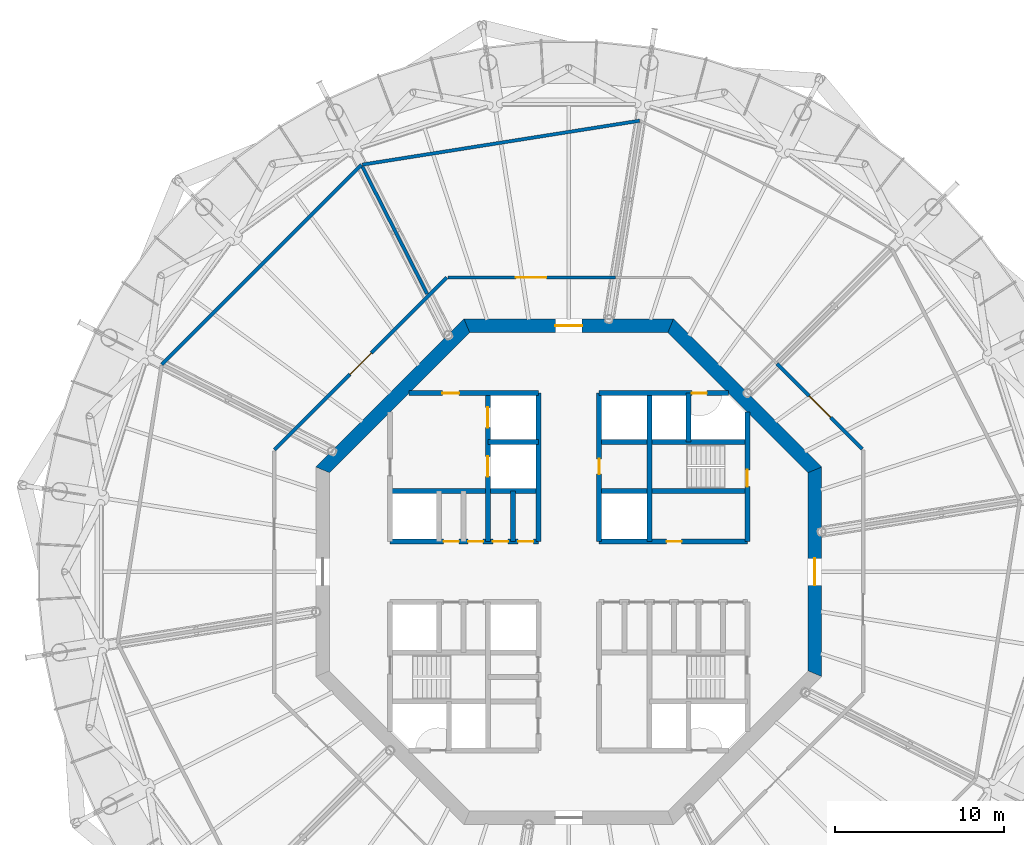
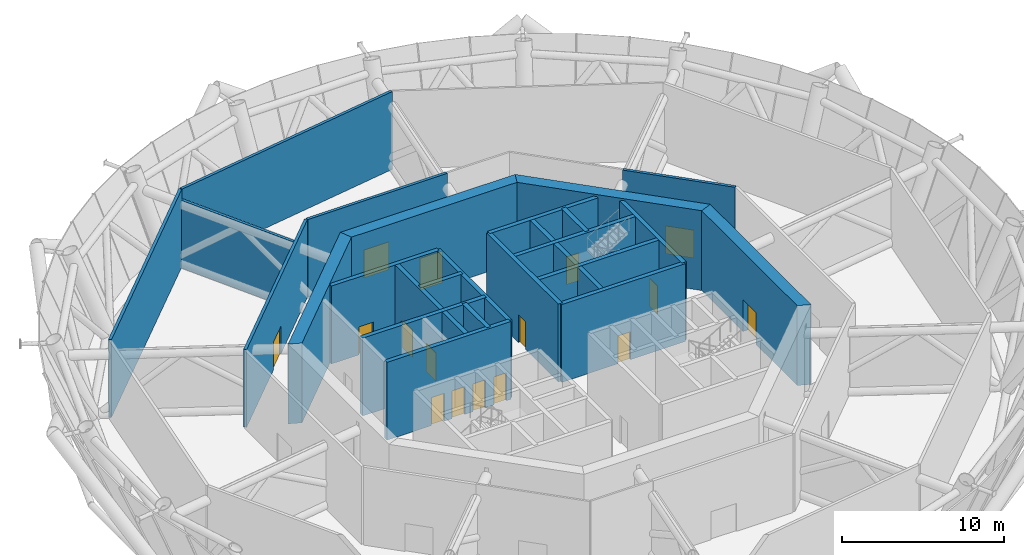
# One storey, part 9 of 20: 25 walls, 16 doors, 16 openings.
"""IFC4 building model written with IfcOpenShell, lengths in metres."""

from ifc_helpers import new_model, si_unit, direction, frame, frame_2d, origin, place, context, subcontext, project, spatial, polyline, rectangle, outline, extrude, material, layer, layer_set, type_object, element, fill, save


model = new_model("IFC4")

# Units and contexts
model_context = context("Model", 3, precision=1e-05, world=origin(), true_north=direction((0.0, 1.0)))
body_context = subcontext(model_context, "Body", "Model", "MODEL_VIEW")
ifc_project = project(units=[si_unit("LENGTHUNIT", "METRE"), si_unit("AREAUNIT", "SQUARE_METRE"), si_unit("VOLUMEUNIT", "CUBIC_METRE"), si_unit("PLANEANGLEUNIT", "RADIAN"), si_unit("MASSUNIT", "GRAM", prefix="KILO")], contexts=[model_context])

# Site, building, storey
site_placement = place(None, origin())
site = spatial("IfcSite", under=ifc_project, at=site_placement, CompositionType="ELEMENT")
building_placement = place(site_placement, origin())
building = spatial("IfcBuilding", under=site, at=building_placement, Name="Entoto Ring Tower", CompositionType="ELEMENT")
storey_placement = place(building_placement, frame((0.0, 0.0, 330.0)))
storey = spatial("IfcBuildingStorey", under=building, at=storey_placement, Name="L76", CompositionType="ELEMENT", Elevation=330.0)

# Wall, opening, door
ifc_material_1 = material(Name="Concrete C40/50", Category="concrete")
ifc_layer_1 = layer(ifc_material_1, 0.300048828125)
ifc_layer_set_1 = layer_set([ifc_layer_1], Name="Concrete C40/50")
wall_type_1 = type_object("IfcWallType", Name="Core enclosure wall 300 mm reinforced concrete", PredefinedType="SOLIDWALL", material=ifc_layer_set_1)
wall_1_placement = place(storey_placement, frame((100.60009765625, 81.800048828125, 0.0), z_axis=(0.0, 0.0, 1.0), x_axis=(0.0, 1.0, 0.0)))
wall_1 = element("IfcWall", 1, at=wall_1_placement, inside=storey, type_object=wall_type_1, Name="wall-L76-002", PredefinedType="SOLIDWALL", context=body_context, shape_type="SweptSolid", body=[
    extrude(rectangle(XDim=7.681640625, YDim=0.300048828125, at=frame_2d((3.8408203125, 0.0))), origin(), (0.0, 0.0, 1.0), 5.85009765625),
])
opening_1_placement = place(wall_1_placement, frame((3.25, 0.0, 0.0)))
opening_1 = element("IfcOpeningElement", 2, at=opening_1_placement, cuts=wall_1, Name="Opening K-23", PredefinedType="OPENING", context=body_context, shape_type="SweptSolid", body=[
    extrude(rectangle(XDim=1.0, YDim=2.10009765625, at=frame_2d((0.5, 1.050048828125))), frame((0.0, 0.16015625, 0.0), z_axis=(0.0, -1.0, 0.0), x_axis=(1.0, 0.0, 0.0)), (0.0, 0.0, 1.0), 0.320068359375),
])
ifc_material_2 = material(Name="Steel door leaf, fire rated", Category="steel")
ifc_layer_2 = layer(ifc_material_2, 0.050048828125)
ifc_layer_set_2 = layer_set([ifc_layer_2], Name="Steel door leaf, fire rated")
door_type_1 = type_object("IfcDoorType", Name="Fire door FD60 1000 x 2100 single leaf", OperationType="NOTDEFINED", PredefinedType="DOOR", material=ifc_layer_set_2)
door_1_placement = place(opening_1_placement, origin())
door_1 = element("IfcDoor", 3, at=door_1_placement, inside=storey, type_object=door_type_1, Name="Door K-23", OperationType="SINGLE_SWING_RIGHT", OverallHeight=2.10009765625, OverallWidth=1.0, PredefinedType="DOOR", context=body_context, shape_type="SweptSolid", body=[
    extrude(rectangle(XDim=1.0, YDim=2.10009765625, at=frame_2d((0.5, 1.050048828125))), frame((0.0, 0.02490234375, 0.0), z_axis=(0.0, -1.0, 0.0), x_axis=(1.0, 0.0, 0.0)), (0.0, 0.0, 1.0), 0.050048828125),
])
fill(opening_1, door_1)

# Walls
wall_2_placement = place(storey_placement, frame((97.10009765625, 87.699951171875, 0.0), z_axis=(0.0, 0.0, 1.0), x_axis=(0.0, 1.0, 0.0)))
element("IfcWall", 4, at=wall_2_placement, inside=storey, type_object=wall_type_1, Name="wall-L76-006", PredefinedType="SOLIDWALL", context=body_context, shape_type="SweptSolid", body=[
    extrude(rectangle(XDim=2.900146484375, YDim=0.300048828125, at=frame_2d((1.4501953125, 0.0))), origin(), (0.0, 0.0, 1.0), 5.85009765625),
])
wall_3_placement = place(storey_placement, frame((94.800048828125, 81.800048828125, 0.0), z_axis=(0.0, 0.0, 1.0), x_axis=(0.0, 1.0, 0.0)))
element("IfcWall", 5, at=wall_3_placement, inside=storey, type_object=wall_type_1, Name="wall-L76-009", PredefinedType="SOLIDWALL", context=body_context, shape_type="SweptSolid", body=[
    extrude(rectangle(XDim=8.800048828125, YDim=0.300048828125, at=frame_2d((4.39990234375, 0.0))), origin(), (0.0, 0.0, 1.0), 5.85009765625),
])

# Wall, opening, door
wall_4_placement = place(storey_placement, frame((91.800048828125, 81.800048828125, 0.0), z_axis=(0.0, 0.0, 1.0), x_axis=(0.0, 1.0, 0.0)))
wall_4 = element("IfcWall", 6, at=wall_4_placement, inside=storey, type_object=wall_type_1, Name="wall-L76-012", PredefinedType="SOLIDWALL", context=body_context, shape_type="SweptSolid", body=[
    extrude(rectangle(XDim=8.800048828125, YDim=0.300048828125, at=frame_2d((4.39990234375, 0.0))), origin(), (0.0, 0.0, 1.0), 5.85009765625),
])
opening_2_placement = place(wall_4_placement, frame((4.0, 0.0, 0.0)))
opening_2 = element("IfcOpeningElement", 7, at=opening_2_placement, cuts=wall_4, Name="Opening K-14", PredefinedType="OPENING", context=body_context, shape_type="SweptSolid", body=[
    extrude(rectangle(XDim=0.89990234375, YDim=2.10009765625, at=frame_2d((0.449951171875, 1.050048828125))), frame((0.0, 0.16015625, 0.0), z_axis=(0.0, -1.0, 0.0), x_axis=(1.0, 0.0, 0.0)), (0.0, 0.0, 1.0), 0.320068359375),
])
ifc_material_3 = material(Name="Steel door leaf, fire rated", Category="steel")
ifc_layer_3 = layer(ifc_material_3, 0.050048828125)
ifc_layer_set_3 = layer_set([ifc_layer_3], Name="Steel door leaf, fire rated")
door_type_2 = type_object("IfcDoorType", Name="Core door 900 x 2100 single leaf", OperationType="NOTDEFINED", PredefinedType="DOOR", material=ifc_layer_set_3)
door_2_placement = place(opening_2_placement, origin())
door_2 = element("IfcDoor", 8, at=door_2_placement, inside=storey, type_object=door_type_2, Name="Door K-14", OperationType="SINGLE_SWING_RIGHT", OverallHeight=2.10009765625, OverallWidth=0.89990234375, PredefinedType="DOOR", context=body_context, shape_type="SweptSolid", body=[
    extrude(rectangle(XDim=0.89990234375, YDim=2.10009765625, at=frame_2d((0.449951171875, 1.050048828125))), frame((0.0, 0.02490234375, 0.0), z_axis=(0.0, -1.0, 0.0), x_axis=(1.0, 0.0, 0.0)), (0.0, 0.0, 1.0), 0.050048828125),
])
fill(opening_2, door_2)

# Walls
wall_5_placement = place(storey_placement, frame((88.199951171875, 81.800048828125, 0.0), z_axis=(0.0, 0.0, 1.0), x_axis=(0.0, 1.0, 0.0)))
element("IfcWall", 9, at=wall_5_placement, inside=storey, type_object=wall_type_1, Name="wall-L76-014", PredefinedType="SOLIDWALL", context=body_context, shape_type="SweptSolid", body=[
    extrude(rectangle(XDim=8.800048828125, YDim=0.300048828125, at=frame_2d((4.39990234375, 0.0))), origin(), (0.0, 0.0, 1.0), 5.85009765625),
])
wall_6_placement = place(storey_placement, frame((86.699951171875, 81.800048828125, 0.0), z_axis=(0.0, 0.0, 1.0), x_axis=(0.0, 1.0, 0.0)))
element("IfcWall", 10, at=wall_6_placement, inside=storey, type_object=wall_type_1, Name="wall-L76-015", PredefinedType="SOLIDWALL", context=body_context, shape_type="SweptSolid", body=[
    extrude(rectangle(XDim=3.0, YDim=0.300048828125, at=frame_2d((1.5, 0.0))), origin(), (0.0, 0.0, 1.0), 5.85009765625),
])

# Wall, openings, doors
wall_7_placement = place(storey_placement, frame((85.199951171875, 81.800048828125, 0.0), z_axis=(0.0, 0.0, 1.0), x_axis=(0.0, 1.0, 0.0)))
wall_7 = element("IfcWall", 11, at=wall_7_placement, inside=storey, type_object=wall_type_1, Name="wall-L76-017", PredefinedType="SOLIDWALL", context=body_context, shape_type="SweptSolid", body=[
    extrude(rectangle(XDim=8.800048828125, YDim=0.300048828125, at=frame_2d((4.39990234375, 0.0))), origin(), (0.0, 0.0, 1.0), 5.85009765625),
])
opening_3_placement = place(wall_7_placement, frame((3.85009765625, 0.0, 0.0)))
opening_3 = element("IfcOpeningElement", 12, at=opening_3_placement, cuts=wall_7, Name="Opening LD", PredefinedType="OPENING", context=body_context, shape_type="SweptSolid", body=[
    extrude(rectangle(XDim=1.199951171875, YDim=2.10009765625, at=frame_2d((0.60009765625, 1.050048828125))), frame((0.0, 0.16015625, 0.0), z_axis=(0.0, -1.0, 0.0), x_axis=(1.0, 0.0, 0.0)), (0.0, 0.0, 1.0), 0.320068359375),
])
opening_4_placement = place(wall_7_placement, frame((6.75, 0.0, 0.0)))
opening_4 = element("IfcOpeningElement", 13, at=opening_4_placement, cuts=wall_7, Name="Opening LD", PredefinedType="OPENING", context=body_context, shape_type="SweptSolid", body=[
    extrude(rectangle(XDim=1.199951171875, YDim=2.10009765625, at=frame_2d((0.60009765625, 1.050048828125))), frame((0.0, 0.16015625, 0.0), z_axis=(0.0, -1.0, 0.0), x_axis=(1.0, 0.0, 0.0)), (0.0, 0.0, 1.0), 0.320068359375),
])
ifc_material_4 = material(Name="Steel and glass door leaf", Category="steel")
ifc_layer_4 = layer(ifc_material_4, 0.050048828125)
ifc_layer_set_4 = layer_set([ifc_layer_4], Name="Steel and glass door leaf")
door_type_3 = type_object("IfcDoorType", Name="Landing door 1200 x 2100 sliding", OperationType="DOUBLE_DOOR_SLIDING", PredefinedType="DOOR", material=ifc_layer_set_4)
door_3_placement = place(opening_3_placement, origin())
door_3 = element("IfcDoor", 14, at=door_3_placement, inside=storey, type_object=door_type_3, Name="Landing door FF1", OperationType="SLIDING_TO_RIGHT", OverallHeight=2.10009765625, OverallWidth=1.199951171875, PredefinedType="DOOR", context=body_context, shape_type="SweptSolid", body=[
    extrude(rectangle(XDim=1.199951171875, YDim=2.10009765625, at=frame_2d((0.60009765625, 1.050048828125))), frame((0.0, 0.02490234375, 0.0), z_axis=(0.0, -1.0, 0.0), x_axis=(1.0, 0.0, 0.0)), (0.0, 0.0, 1.0), 0.050048828125),
])
fill(opening_3, door_3)
door_4_placement = place(opening_4_placement, origin())
door_4 = element("IfcDoor", 15, at=door_4_placement, inside=storey, type_object=door_type_3, Name="Landing door FF2", OperationType="SLIDING_TO_RIGHT", OverallHeight=2.10009765625, OverallWidth=1.199951171875, PredefinedType="DOOR", context=body_context, shape_type="SweptSolid", body=[
    extrude(rectangle(XDim=1.199951171875, YDim=2.10009765625, at=frame_2d((0.60009765625, 1.050048828125))), frame((0.0, 0.02490234375, 0.0), z_axis=(0.0, -1.0, 0.0), x_axis=(1.0, 0.0, 0.0)), (0.0, 0.0, 1.0), 0.050048828125),
])
fill(opening_4, door_4)

wall_8_placement = place(storey_placement, frame((79.39990234375, 81.800048828125, 0.0), z_axis=(0.0, 0.0, 1.0), x_axis=(1.0, 0.0, 0.0)))
wall_8 = element("IfcWall", 16, at=wall_8_placement, inside=storey, type_object=wall_type_1, Name="wall-L76-034", PredefinedType="SOLIDWALL", context=body_context, shape_type="SweptSolid", body=[
    extrude(rectangle(XDim=8.800048828125, YDim=0.300048828125, at=frame_2d((4.39990234375, 0.0))), origin(), (0.0, 0.0, 1.0), 5.85009765625),
])
opening_5_placement = place(wall_8_placement, frame((3.175048828125, 0.0, 0.0)))
opening_5 = element("IfcOpeningElement", 17, at=opening_5_placement, cuts=wall_8, Name="Opening K-06", PredefinedType="OPENING", context=body_context, shape_type="SweptSolid", body=[
    extrude(rectangle(XDim=0.89990234375, YDim=2.10009765625, at=frame_2d((0.449951171875, 1.050048828125))), frame((0.0, 0.16015625, 0.0), z_axis=(0.0, -1.0, 0.0), x_axis=(1.0, 0.0, 0.0)), (0.0, 0.0, 1.0), 0.320068359375),
])
opening_6_placement = place(wall_8_placement, frame((4.625, 0.0, 0.0)))
opening_6 = element("IfcOpeningElement", 18, at=opening_6_placement, cuts=wall_8, Name="Opening K-07", PredefinedType="OPENING", context=body_context, shape_type="SweptSolid", body=[
    extrude(rectangle(XDim=0.89990234375, YDim=2.10009765625, at=frame_2d((0.449951171875, 1.050048828125))), frame((0.0, 0.16015625, 0.0), z_axis=(0.0, -1.0, 0.0), x_axis=(1.0, 0.0, 0.0)), (0.0, 0.0, 1.0), 0.320068359375),
])
opening_7_placement = place(wall_8_placement, frame((6.10009765625, 0.0, 0.0)))
opening_7 = element("IfcOpeningElement", 19, at=opening_7_placement, cuts=wall_8, Name="Opening K-19", PredefinedType="OPENING", context=body_context, shape_type="SweptSolid", body=[
    extrude(rectangle(XDim=0.89990234375, YDim=2.10009765625, at=frame_2d((0.449951171875, 1.050048828125))), frame((0.0, 0.16015625, 0.0), z_axis=(0.0, -1.0, 0.0), x_axis=(1.0, 0.0, 0.0)), (0.0, 0.0, 1.0), 0.320068359375),
])
opening_8_placement = place(wall_8_placement, frame((7.60009765625, 0.0, 0.0)))
opening_8 = element("IfcOpeningElement", 20, at=opening_8_placement, cuts=wall_8, Name="Opening K-63", PredefinedType="OPENING", context=body_context, shape_type="SweptSolid", body=[
    extrude(rectangle(XDim=0.89990234375, YDim=2.10009765625, at=frame_2d((0.449951171875, 1.050048828125))), frame((0.0, 0.16015625, 0.0), z_axis=(0.0, -1.0, 0.0), x_axis=(1.0, 0.0, 0.0)), (0.0, 0.0, 1.0), 0.320068359375),
])
door_5_placement = place(opening_5_placement, frame((0.89990234375, 0.0, 0.0), z_axis=(0.0, 0.0, 1.0), x_axis=(-1.0, 0.0, 0.0)))
door_5 = element("IfcDoor", 21, at=door_5_placement, inside=storey, type_object=door_type_2, Name="Door K-06", OperationType="SINGLE_SWING_RIGHT", OverallHeight=2.10009765625, OverallWidth=0.89990234375, PredefinedType="DOOR", context=body_context, shape_type="SweptSolid", body=[
    extrude(rectangle(XDim=0.89990234375, YDim=2.10009765625, at=frame_2d((0.449951171875, 1.050048828125))), frame((0.0, 0.02490234375, 0.0), z_axis=(0.0, -1.0, 0.0), x_axis=(1.0, 0.0, 0.0)), (0.0, 0.0, 1.0), 0.050048828125),
])
fill(opening_5, door_5)
door_6_placement = place(opening_6_placement, frame((0.89990234375, 0.0, 0.0), z_axis=(0.0, 0.0, 1.0), x_axis=(-1.0, 0.0, 0.0)))
door_6 = element("IfcDoor", 22, at=door_6_placement, inside=storey, type_object=door_type_2, Name="Door K-07", OperationType="SINGLE_SWING_RIGHT", OverallHeight=2.10009765625, OverallWidth=0.89990234375, PredefinedType="DOOR", context=body_context, shape_type="SweptSolid", body=[
    extrude(rectangle(XDim=0.89990234375, YDim=2.10009765625, at=frame_2d((0.449951171875, 1.050048828125))), frame((0.0, 0.02490234375, 0.0), z_axis=(0.0, -1.0, 0.0), x_axis=(1.0, 0.0, 0.0)), (0.0, 0.0, 1.0), 0.050048828125),
])
fill(opening_6, door_6)
door_7_placement = place(opening_7_placement, frame((0.89990234375, 0.0, 0.0), z_axis=(0.0, 0.0, 1.0), x_axis=(-1.0, 0.0, 0.0)))
door_7 = element("IfcDoor", 23, at=door_7_placement, inside=storey, type_object=door_type_2, Name="Door K-19", OperationType="SINGLE_SWING_RIGHT", OverallHeight=2.10009765625, OverallWidth=0.89990234375, PredefinedType="DOOR", context=body_context, shape_type="SweptSolid", body=[
    extrude(rectangle(XDim=0.89990234375, YDim=2.10009765625, at=frame_2d((0.449951171875, 1.050048828125))), frame((0.0, 0.02490234375, 0.0), z_axis=(0.0, -1.0, 0.0), x_axis=(1.0, 0.0, 0.0)), (0.0, 0.0, 1.0), 0.050048828125),
])
fill(opening_7, door_7)
door_8_placement = place(opening_8_placement, frame((0.89990234375, 0.0, 0.0), z_axis=(0.0, 0.0, 1.0), x_axis=(-1.0, 0.0, 0.0)))
door_8 = element("IfcDoor", 24, at=door_8_placement, inside=storey, type_object=door_type_2, Name="Door K-63", OperationType="SINGLE_SWING_RIGHT", OverallHeight=2.10009765625, OverallWidth=0.89990234375, PredefinedType="DOOR", context=body_context, shape_type="SweptSolid", body=[
    extrude(rectangle(XDim=0.89990234375, YDim=2.10009765625, at=frame_2d((0.449951171875, 1.050048828125))), frame((0.0, 0.02490234375, 0.0), z_axis=(0.0, -1.0, 0.0), x_axis=(1.0, 0.0, 0.0)), (0.0, 0.0, 1.0), 0.050048828125),
])
fill(opening_8, door_8)

# Wall, opening, door
wall_9_placement = place(storey_placement, frame((91.800048828125, 81.800048828125, 0.0), z_axis=(0.0, 0.0, 1.0), x_axis=(1.0, 0.0, 0.0)))
wall_9 = element("IfcWall", 25, at=wall_9_placement, inside=storey, type_object=wall_type_1, Name="wall-L76-035", PredefinedType="SOLIDWALL", context=body_context, shape_type="SweptSolid", body=[
    extrude(rectangle(XDim=8.800048828125, YDim=0.300048828125, at=frame_2d((4.39990234375, 0.0))), origin(), (0.0, 0.0, 1.0), 5.85009765625),
])
opening_9_placement = place(wall_9_placement, frame((4.0, 0.0, 0.0)))
opening_9 = element("IfcOpeningElement", 26, at=opening_9_placement, cuts=wall_9, Name="Opening K-05", PredefinedType="OPENING", context=body_context, shape_type="SweptSolid", body=[
    extrude(rectangle(XDim=0.89990234375, YDim=2.10009765625, at=frame_2d((0.449951171875, 1.050048828125))), frame((0.0, 0.16015625, 0.0), z_axis=(0.0, -1.0, 0.0), x_axis=(1.0, 0.0, 0.0)), (0.0, 0.0, 1.0), 0.320068359375),
])
door_9_placement = place(opening_9_placement, origin())
door_9 = element("IfcDoor", 27, at=door_9_placement, inside=storey, type_object=door_type_2, Name="Door K-05", OperationType="SINGLE_SWING_LEFT", OverallHeight=2.10009765625, OverallWidth=0.89990234375, PredefinedType="DOOR", context=body_context, shape_type="SweptSolid", body=[
    extrude(rectangle(XDim=0.89990234375, YDim=2.10009765625, at=frame_2d((0.449951171875, 1.050048828125))), frame((0.0, 0.02490234375, 0.0), z_axis=(0.0, -1.0, 0.0), x_axis=(1.0, 0.0, 0.0)), (0.0, 0.0, 1.0), 0.050048828125),
])
fill(opening_9, door_9)

# Walls
for number, where, z_axis, x_axis, name in (
    (28, (79.39990234375, 84.800048828125, 0.0), (0.0, 0.0, 1.0), (1.0, 0.0, 0.0), "wall-L76-036"),
    (29, (91.800048828125, 84.800048828125, 0.0), (0.0, 0.0, 1.0), (1.0, 0.0, 0.0), "wall-L76-037"),
):
    element("IfcWall", number, at=place(storey_placement, frame(where, z_axis=z_axis, x_axis=x_axis)), inside=storey, type_object=wall_type_1, Name=name, PredefinedType="SOLIDWALL", context=body_context, shape_type="SweptSolid", body=[
        extrude(rectangle(XDim=8.800048828125, YDim=0.300048828125, at=frame_2d((4.39990234375, 0.0))), origin(), (0.0, 0.0, 1.0), 5.85009765625),
    ])
wall_10_placement = place(storey_placement, frame((85.199951171875, 87.699951171875, 0.0), z_axis=(0.0, 0.0, 1.0), x_axis=(1.0, 0.0, 0.0)))
element("IfcWall", 30, at=wall_10_placement, inside=storey, type_object=wall_type_1, Name="wall-L76-038", PredefinedType="SOLIDWALL", context=body_context, shape_type="SweptSolid", body=[
    extrude(rectangle(XDim=3.0, YDim=0.300048828125, at=frame_2d((1.5, 0.0))), origin(), (0.0, 0.0, 1.0), 5.85009765625),
])
wall_11_placement = place(storey_placement, frame((91.800048828125, 87.699951171875, 0.0), z_axis=(0.0, 0.0, 1.0), x_axis=(1.0, 0.0, 0.0)))
element("IfcWall", 31, at=wall_11_placement, inside=storey, type_object=wall_type_1, Name="wall-L76-039", PredefinedType="SOLIDWALL", context=body_context, shape_type="SweptSolid", body=[
    extrude(rectangle(XDim=8.800048828125, YDim=0.300048828125, at=frame_2d((4.39990234375, 0.0))), origin(), (0.0, 0.0, 1.0), 5.85009765625),
])

# Wall, opening, door
wall_12_placement = place(storey_placement, frame((80.518310546875, 90.60009765625, 0.0), z_axis=(0.0, 0.0, 1.0), x_axis=(1.0, 0.0, 0.0)))
wall_12 = element("IfcWall", 32, at=wall_12_placement, inside=storey, type_object=wall_type_1, Name="wall-L76-040", PredefinedType="SOLIDWALL", context=body_context, shape_type="SweptSolid", body=[
    extrude(rectangle(XDim=7.681640625, YDim=0.300048828125, at=frame_2d((3.8408203125, 0.0))), origin(), (0.0, 0.0, 1.0), 5.85009765625),
])
opening_10_placement = place(wall_12_placement, frame((1.981689453125, 0.0, 0.0)))
opening_10 = element("IfcOpeningElement", 33, at=opening_10_placement, cuts=wall_12, Name="Opening K-30", PredefinedType="OPENING", context=body_context, shape_type="SweptSolid", body=[
    extrude(rectangle(XDim=1.0, YDim=2.10009765625, at=frame_2d((0.5, 1.050048828125))), frame((0.0, 0.16015625, 0.0), z_axis=(0.0, -1.0, 0.0), x_axis=(1.0, 0.0, 0.0)), (0.0, 0.0, 1.0), 0.320068359375),
])
door_10_placement = place(opening_10_placement, frame((1.0, 0.0, 0.0), z_axis=(0.0, 0.0, 1.0), x_axis=(-1.0, 0.0, 0.0)))
door_10 = element("IfcDoor", 34, at=door_10_placement, inside=storey, type_object=door_type_1, Name="Door K-30", OperationType="SINGLE_SWING_RIGHT", OverallHeight=2.10009765625, OverallWidth=1.0, PredefinedType="DOOR", context=body_context, shape_type="SweptSolid", body=[
    extrude(rectangle(XDim=1.0, YDim=2.10009765625, at=frame_2d((0.5, 1.050048828125))), frame((0.0, 0.02490234375, 0.0), z_axis=(0.0, -1.0, 0.0), x_axis=(1.0, 0.0, 0.0)), (0.0, 0.0, 1.0), 0.050048828125),
])
fill(opening_10, door_10)

wall_13_placement = place(storey_placement, frame((91.800048828125, 90.60009765625, 0.0), z_axis=(0.0, 0.0, 1.0), x_axis=(1.0, 0.0, 0.0)))
wall_13 = element("IfcWall", 35, at=wall_13_placement, inside=storey, type_object=wall_type_1, Name="wall-L76-041", PredefinedType="SOLIDWALL", context=body_context, shape_type="SweptSolid", body=[
    extrude(rectangle(XDim=7.681640625, YDim=0.300048828125, at=frame_2d((3.8408203125, 0.0))), origin(), (0.0, 0.0, 1.0), 5.85009765625),
])
opening_11_placement = place(wall_13_placement, frame((5.5, 0.0, 0.0)))
opening_11 = element("IfcOpeningElement", 36, at=opening_11_placement, cuts=wall_13, Name="Opening K-78", PredefinedType="OPENING", context=body_context, shape_type="SweptSolid", body=[
    extrude(rectangle(XDim=0.89990234375, YDim=2.10009765625, at=frame_2d((0.449951171875, 1.050048828125))), frame((0.0, 0.16015625, 0.0), z_axis=(0.0, -1.0, 0.0), x_axis=(1.0, 0.0, 0.0)), (0.0, 0.0, 1.0), 0.320068359375),
])
ifc_material_5 = material(Name="Steel door leaf, fire rated", Category="steel")
ifc_layer_5 = layer(ifc_material_5, 0.050048828125)
ifc_layer_set_5 = layer_set([ifc_layer_5], Name="Steel door leaf, fire rated")
door_type_4 = type_object("IfcDoorType", Name="Riser door FD60 900 x 2100 single leaf", OperationType="NOTDEFINED", PredefinedType="DOOR", material=ifc_layer_set_5)
door_11_placement = place(opening_11_placement, frame((0.89990234375, 0.0, 0.0), z_axis=(0.0, 0.0, 1.0), x_axis=(-1.0, 0.0, 0.0)))
door_11 = element("IfcDoor", 37, at=door_11_placement, inside=storey, type_object=door_type_4, Name="Door K-78", OperationType="SINGLE_SWING_LEFT", OverallHeight=2.10009765625, OverallWidth=0.89990234375, PredefinedType="DOOR", context=body_context, shape_type="SweptSolid", body=[
    extrude(rectangle(XDim=0.89990234375, YDim=2.10009765625, at=frame_2d((0.449951171875, 1.050048828125))), frame((0.0, 0.02490234375, 0.0), z_axis=(0.0, -1.0, 0.0), x_axis=(1.0, 0.0, 0.0)), (0.0, 0.0, 1.0), 0.050048828125),
])
fill(opening_11, door_11)

ifc_material_6 = material(Name="Concrete C40/50", Category="concrete")
ifc_layer_6 = layer(ifc_material_6, 0.800048828125)
ifc_layer_set_6 = layer_set([ifc_layer_6], Name="Concrete C40/50")
wall_type_2 = type_object("IfcWallType", Name="Core shear wall 800 mm reinforced concrete C40/50", PredefinedType="SHEAR", material=ifc_layer_set_6)
wall_14_placement = place(storey_placement, frame((104.60009765625, 73.952392578125, 0.0), z_axis=(0.0, 0.0, 1.0), x_axis=(0.0, 1.0, 0.0)))
wall_14 = element("IfcWall", 38, at=wall_14_placement, inside=storey, type_object=wall_type_2, Name="wall-L76-core-0", PredefinedType="SHEAR", context=body_context, shape_type="SweptSolid", body=[
    extrude(outline(polyline([(-0.165771484375, -0.39990234375), (12.260986328125, -0.39990234375), (11.929443359375, 0.39990234375), (0.165771484375, 0.39990234375), (-0.165771484375, -0.39990234375)])), origin(), (0.0, 0.0, 1.0), 6.0),
])
opening_12_placement = place(wall_14_placement, frame((5.24755859375, 0.0, 0.0)))
opening_12 = element("IfcOpeningElement", 39, at=opening_12_placement, cuts=wall_14, Name="Opening K-01", PredefinedType="OPENING", context=body_context, shape_type="SweptSolid", body=[
    extrude(rectangle(XDim=1.60009765625, YDim=2.39990234375, at=frame_2d((0.800048828125, 1.199951171875))), frame((0.0, 0.41015625, 0.0), z_axis=(0.0, -1.0, 0.0), x_axis=(1.0, 0.0, 0.0)), (0.0, 0.0, 1.0), 0.820068359375),
])
ifc_material_7 = material(Name="Steel door leaf, fire rated", Category="steel")
ifc_layer_7 = layer(ifc_material_7, 0.050048828125)
ifc_layer_set_7 = layer_set([ifc_layer_7], Name="Steel door leaf, fire rated")
door_type_5 = type_object("IfcDoorType", Name="Entrance door FD60 1600 x 2400 double leaf", OperationType="DOUBLE_DOOR_SINGLE_SWING", PredefinedType="DOOR", material=ifc_layer_set_7)
door_12_placement = place(opening_12_placement, origin())
door_12 = element("IfcDoor", 40, at=door_12_placement, inside=storey, type_object=door_type_5, Name="Entrance door K-01", OperationType="DOUBLE_DOOR_SINGLE_SWING", OverallHeight=2.39990234375, OverallWidth=1.60009765625, PredefinedType="DOOR", context=body_context, shape_type="SweptSolid", body=[
    extrude(rectangle(XDim=1.60009765625, YDim=2.39990234375, at=frame_2d((0.800048828125, 1.199951171875))), frame((0.0, 0.02490234375, 0.0), z_axis=(0.0, -1.0, 0.0), x_axis=(1.0, 0.0, 0.0)), (0.0, 0.0, 1.0), 0.050048828125),
])
fill(opening_12, door_12)

# Wall
wall_15_placement = place(storey_placement, frame((104.60009765625, 86.047607421875, 0.0), z_axis=(0.0, 0.0, 1.0), x_axis=(-0.707106781187, 0.707106781187, 0.0)))
element("IfcWall", 41, at=wall_15_placement, inside=storey, type_object=wall_type_2, Name="wall-L76-core-1", PredefinedType="SHEAR", context=body_context, shape_type="SweptSolid", body=[
    extrude(outline(polyline([(-0.165771484375, -0.39990234375), (12.2607421875, -0.39990234375), (11.92919921875, 0.39990234375), (0.165771484375, 0.39990234375), (-0.165771484375, -0.39990234375)])), origin(), (0.0, 0.0, 1.0), 6.0),
])

# Wall, opening, door
wall_16_placement = place(storey_placement, frame((96.047607421875, 94.60009765625, 0.0), z_axis=(0.0, 0.0, 1.0), x_axis=(-1.0, 0.0, 0.0)))
wall_16 = element("IfcWall", 42, at=wall_16_placement, inside=storey, type_object=wall_type_2, Name="wall-L76-core-2", PredefinedType="SHEAR", context=body_context, shape_type="SweptSolid", body=[
    extrude(outline(polyline([(-0.165771484375, -0.39990234375), (12.260986328125, -0.39990234375), (11.929443359375, 0.39990234375), (0.165771484375, 0.39990234375), (-0.165771484375, -0.39990234375)])), origin(), (0.0, 0.0, 1.0), 6.0),
])
opening_13_placement = place(wall_16_placement, frame((5.24755859375, 0.0, 0.0)))
opening_13 = element("IfcOpeningElement", 43, at=opening_13_placement, cuts=wall_16, Name="Opening K-02", PredefinedType="OPENING", context=body_context, shape_type="SweptSolid", body=[
    extrude(rectangle(XDim=1.60009765625, YDim=2.39990234375, at=frame_2d((0.800048828125, 1.199951171875))), frame((0.0, 0.41015625, 0.0), z_axis=(0.0, -1.0, 0.0), x_axis=(1.0, 0.0, 0.0)), (0.0, 0.0, 1.0), 0.820068359375),
])
door_13_placement = place(opening_13_placement, origin())
door_13 = element("IfcDoor", 44, at=door_13_placement, inside=storey, type_object=door_type_5, Name="Entrance door K-02", OperationType="DOUBLE_DOOR_SINGLE_SWING", OverallHeight=2.39990234375, OverallWidth=1.60009765625, PredefinedType="DOOR", context=body_context, shape_type="SweptSolid", body=[
    extrude(rectangle(XDim=1.60009765625, YDim=2.39990234375, at=frame_2d((0.800048828125, 1.199951171875))), frame((0.0, 0.02490234375, 0.0), z_axis=(0.0, -1.0, 0.0), x_axis=(1.0, 0.0, 0.0)), (0.0, 0.0, 1.0), 0.050048828125),
])
fill(opening_13, door_13)

# Walls
wall_17_placement = place(storey_placement, frame((83.952392578125, 94.60009765625, 0.0), z_axis=(0.0, 0.0, 1.0), x_axis=(-0.707106781187, -0.707106781187, 0.0)))
element("IfcWall", 45, at=wall_17_placement, inside=storey, type_object=wall_type_2, Name="wall-L76-core-3", PredefinedType="SHEAR", context=body_context, shape_type="SweptSolid", body=[
    extrude(outline(polyline([(-0.165771484375, -0.39990234375), (12.2607421875, -0.39990234375), (11.92919921875, 0.39990234375), (0.165771484375, 0.39990234375), (-0.165771484375, -0.39990234375)])), origin(), (0.0, 0.0, 1.0), 6.0),
])
ifc_material_8 = material(Name="Concrete C20/25", Category="concrete")
ifc_layer_8 = layer(ifc_material_8, 0.199951171875)
ifc_layer_set_8 = layer_set([ifc_layer_8], Name="Concrete C20/25")
wall_type_3 = type_object("IfcWallType", Name="Plant room wall 200 mm two-hour concrete", PredefinedType="PARTITIONING", material=ifc_layer_set_8)
wall_18_placement = place(storey_placement, frame((65.853759765625, 92.30322265625, 0.0), z_axis=(0.0, 0.0, 1.0), x_axis=(0.707106781187, 0.707106781187, 0.0)))
element("IfcWall", 46, at=wall_18_placement, inside=storey, type_object=wall_type_3, Name="partition-L76-007", PredefinedType="PARTITIONING", context=body_context, shape_type="SweptSolid", body=[
    extrude(rectangle(XDim=16.74853515625, YDim=0.199951171875, at=frame_2d((8.374267578125, 0.0))), origin(), (0.0, 0.0, 1.0), 5.85009765625),
])
wall_19_placement = place(storey_placement, frame((77.754638671875, 104.155517578125, 0.0), z_axis=(0.0, 0.0, 1.0), x_axis=(0.987688325379, 0.156434561108, 0.0)))
element("IfcWall", 47, at=wall_19_placement, inside=storey, type_object=wall_type_3, Name="partition-L76-010", PredefinedType="PARTITIONING", context=body_context, shape_type="SweptSolid", body=[
    extrude(rectangle(XDim=16.65380859375, YDim=0.199951171875, at=frame_2d((8.326904296875, 0.0))), origin(), (0.0, 0.0, 1.0), 5.85009765625),
])

# Wall, opening, door
wall_20_placement = place(storey_placement, frame((72.53759765625, 87.233154296875, 0.0), z_axis=(0.0, 0.0, 1.0), x_axis=(0.707106781187, 0.707106781187, 0.0)))
wall_20 = element("IfcWall", 48, at=wall_20_placement, inside=storey, type_object=wall_type_3, Name="partition-L76-015", PredefinedType="PARTITIONING", context=body_context, shape_type="SweptSolid", body=[
    extrude(rectangle(XDim=14.46630859375, YDim=0.199951171875, at=frame_2d((7.233154296875, 0.0))), origin(), (0.0, 0.0, 1.0), 5.85009765625),
])
opening_14_placement = place(wall_20_placement, frame((6.333251953125, 0.0, 0.0)))
opening_14 = element("IfcOpeningElement", 49, at=opening_14_placement, cuts=wall_20, Name="Opening A33-D04", PredefinedType="OPENING", context=body_context, shape_type="SweptSolid", body=[
    extrude(rectangle(XDim=1.800048828125, YDim=2.10009765625, at=frame_2d((0.89990234375, 1.050048828125))), frame((0.0, 0.10986328125, 0.0), z_axis=(0.0, -1.0, 0.0), x_axis=(1.0, 0.0, 0.0)), (0.0, 0.0, 1.0), 0.219970703125),
])
ifc_material_9 = material(Name="Fire-resisting steel door set", Category="steel")
door_type_6 = type_object("IfcDoorType", Name="Door 1800 x 2100 double leaf FD60 steel door", OperationType="DOUBLE_DOOR_SINGLE_SWING", PredefinedType="DOOR", material=ifc_material_9)
door_14_placement = place(opening_14_placement, origin())
door_14 = element("IfcDoor", 50, at=door_14_placement, inside=storey, type_object=door_type_6, Name="Door A33-D04", OperationType="DOUBLE_DOOR_SINGLE_SWING", OverallHeight=2.10009765625, OverallWidth=1.800048828125, PredefinedType="DOOR", context=body_context, shape_type="SweptSolid", body=[
    extrude(rectangle(XDim=1.800048828125, YDim=2.10009765625, at=frame_2d((0.89990234375, 1.050048828125))), frame((0.0, 0.02490234375, 0.0), z_axis=(0.0, -1.0, 0.0), x_axis=(1.0, 0.0, 0.0)), (0.0, 0.0, 1.0), 0.050048828125),
])
fill(opening_14, door_14)

wall_21_placement = place(storey_placement, frame((82.83740234375, 97.46240234375, 0.0), z_axis=(0.0, 0.0, 1.0), x_axis=(1.0, 0.0, 0.0)))
wall_21 = element("IfcWall", 51, at=wall_21_placement, inside=storey, type_object=wall_type_3, Name="partition-L76-019", PredefinedType="PARTITIONING", context=body_context, shape_type="SweptSolid", body=[
    extrude(rectangle(XDim=9.928466796875, YDim=0.199951171875, at=frame_2d((4.96435546875, 0.0))), origin(), (0.0, 0.0, 1.0), 5.85009765625),
])
opening_15_placement = place(wall_21_placement, frame((4.029052734375, 0.0, 0.0)))
opening_15 = element("IfcOpeningElement", 52, at=opening_15_placement, cuts=wall_21, Name="Opening A33-D03", PredefinedType="OPENING", context=body_context, shape_type="SweptSolid", body=[
    extrude(rectangle(XDim=1.800048828125, YDim=2.10009765625, at=frame_2d((0.89990234375, 1.050048828125))), frame((0.0, 0.10986328125, 0.0), z_axis=(0.0, -1.0, 0.0), x_axis=(1.0, 0.0, 0.0)), (0.0, 0.0, 1.0), 0.219970703125),
])
door_15_placement = place(opening_15_placement, origin())
door_15 = element("IfcDoor", 53, at=door_15_placement, inside=storey, type_object=door_type_6, Name="Door A33-D03", OperationType="DOUBLE_DOOR_SINGLE_SWING", OverallHeight=2.10009765625, OverallWidth=1.800048828125, PredefinedType="DOOR", context=body_context, shape_type="SweptSolid", body=[
    extrude(rectangle(XDim=1.800048828125, YDim=2.10009765625, at=frame_2d((0.89990234375, 1.050048828125))), frame((0.0, 0.02490234375, 0.0), z_axis=(0.0, -1.0, 0.0), x_axis=(1.0, 0.0, 0.0)), (0.0, 0.0, 1.0), 0.050048828125),
])
fill(opening_15, door_15)

wall_22_placement = place(storey_placement, frame((107.41259765625, 87.283203125, 0.0), z_axis=(0.0, 0.0, 1.0), x_axis=(-0.707106781187, 0.707106781187, 0.0)))
wall_22 = element("IfcWall", 54, at=wall_22_placement, inside=storey, type_object=wall_type_3, Name="partition-L76-032", PredefinedType="PARTITIONING", context=body_context, shape_type="SweptSolid", body=[
    extrude(rectangle(XDim=7.16259765625, YDim=0.199951171875, at=frame_2d((3.581298828125, 0.0))), origin(), (0.0, 0.0, 1.0), 5.85009765625),
])
opening_16_placement = place(wall_22_placement, frame((2.646240234375, 0.0, 0.0)))
opening_16 = element("IfcOpeningElement", 55, at=opening_16_placement, cuts=wall_22, Name="Opening A33-D01", PredefinedType="OPENING", context=body_context, shape_type="SweptSolid", body=[
    extrude(rectangle(XDim=1.800048828125, YDim=2.10009765625, at=frame_2d((0.89990234375, 1.050048828125))), frame((0.0, 0.10986328125, 0.0), z_axis=(0.0, -1.0, 0.0), x_axis=(1.0, 0.0, 0.0)), (0.0, 0.0, 1.0), 0.219970703125),
])
door_16_placement = place(opening_16_placement, frame((1.800048828125, 0.0, 0.0), z_axis=(0.0, 0.0, 1.0), x_axis=(-1.0, 0.0, 0.0)))
door_16 = element("IfcDoor", 56, at=door_16_placement, inside=storey, type_object=door_type_6, Name="Door A33-D01", OperationType="DOUBLE_DOOR_SINGLE_SWING", OverallHeight=2.10009765625, OverallWidth=1.800048828125, PredefinedType="DOOR", context=body_context, shape_type="SweptSolid", body=[
    extrude(rectangle(XDim=1.800048828125, YDim=2.10009765625, at=frame_2d((0.89990234375, 1.050048828125))), frame((0.0, 0.02490234375, 0.0), z_axis=(0.0, -1.0, 0.0), x_axis=(1.0, 0.0, 0.0)), (0.0, 0.0, 1.0), 0.050048828125),
])
fill(opening_16, door_16)

# Wall
ifc_material_10 = material(Name="Concrete C20/25", Category="concrete")
ifc_layer_9 = layer(ifc_material_10, 0.199951171875)
ifc_layer_set_9 = layer_set([ifc_layer_9], Name="Concrete C20/25")
wall_type_4 = type_object("IfcWallType", Name="Plant room wall 200 mm two-hour concrete, 5097 mm high", PredefinedType="PARTITIONING", material=ifc_layer_set_9)
wall_23_placement = place(storey_placement, frame((81.601806640625, 96.482421875, 0.0), z_axis=(0.0, 0.0, 1.0), x_axis=(-0.453996645898, 0.891003392537, 0.0)))
element("IfcWall", 57, at=wall_23_placement, inside=storey, type_object=wall_type_4, Name="partition-L76-028", PredefinedType="PARTITIONING", context=body_context, shape_type="SweptSolid", body=[
    extrude(rectangle(XDim=8.4638671875, YDim=0.199951171875, at=frame_2d((4.23193359375, 0.0))), origin(), (0.0, 0.0, 1.0), 5.096923828125),
])

save(model, "model.ifc")
